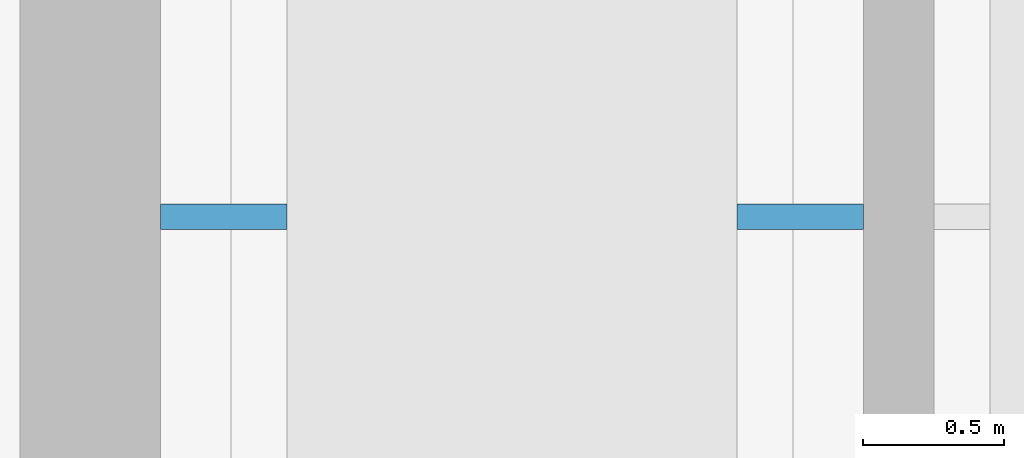
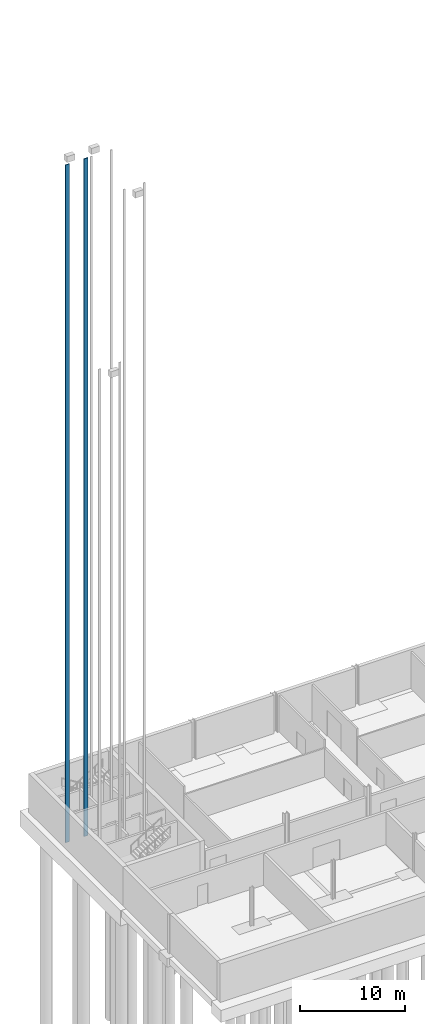
# One storey, part 23 of 41: 2 discrete accessories.
"""IFC4 building model written with IfcOpenShell, lengths in metres."""

from ifc_helpers import new_model, si_unit, direction, frame, origin, origin_2d, place, context, subcontext, project, spatial, rectangle, extrude, material, type_object, element, save


model = new_model("IFC4")

# Units and contexts
model_context = context("Model", 3, precision=1e-05, world=origin(), true_north=direction((0.0, 1.0)))
body_context = subcontext(model_context, "Body", "Model", "MODEL_VIEW")
ifc_project = project(units=[si_unit("LENGTHUNIT", "METRE"), si_unit("AREAUNIT", "SQUARE_METRE"), si_unit("VOLUMEUNIT", "CUBIC_METRE"), si_unit("PLANEANGLEUNIT", "RADIAN"), si_unit("MASSUNIT", "GRAM", prefix="KILO")], contexts=[model_context])

# Site, building, storey
site_placement = place(None, origin())
site = spatial("IfcSite", under=ifc_project, at=site_placement, CompositionType="ELEMENT")
building_placement = place(site_placement, origin())
building = spatial("IfcBuilding", under=site, at=building_placement, Name="Corbel Yard City Hall", CompositionType="ELEMENT")
storey_placement = place(building_placement, frame((0.0, 0.0, -4.5)))
storey = spatial("IfcBuildingStorey", under=building, at=storey_placement, Name="B1", CompositionType="ELEMENT", Elevation=-4.5)

# Discrete accessories
ifc_material = material(Name="Steel Grade G250", Category="steel")
discrete_accessory_type = type_object("IfcDiscreteAccessoryType", Name="LR1", PredefinedType="USERDEFINED", material=ifc_material)
for number, where, z_axis, x_axis, name in (
    (1, (0.72509765625, 110.85009765625, 0.0), (0.0, 0.0, 1.0), (1.0, 0.0, 0.0), "Lift LF1 guide rail 1"),
    (2, (2.77490234375, 110.85009765625, 0.0), (0.0, 0.0, 1.0), (1.0, 0.0, 0.0), "Lift LF1 guide rail 2"),
):
    element("IfcDiscreteAccessory", number, at=place(storey_placement, frame(where, z_axis=z_axis, x_axis=x_axis)), inside=storey, type_object=discrete_accessory_type, Name=name, ObjectType="GUIDE RAIL", PredefinedType="USERDEFINED", context=body_context, shape_type="SweptSolid", body=[
        extrude(rectangle(XDim=0.449951171875, YDim=0.090087890625, at=origin_2d()), origin(), (0.0, 0.0, 1.0), 79.0),
    ])

save(model, "model.ifc")
